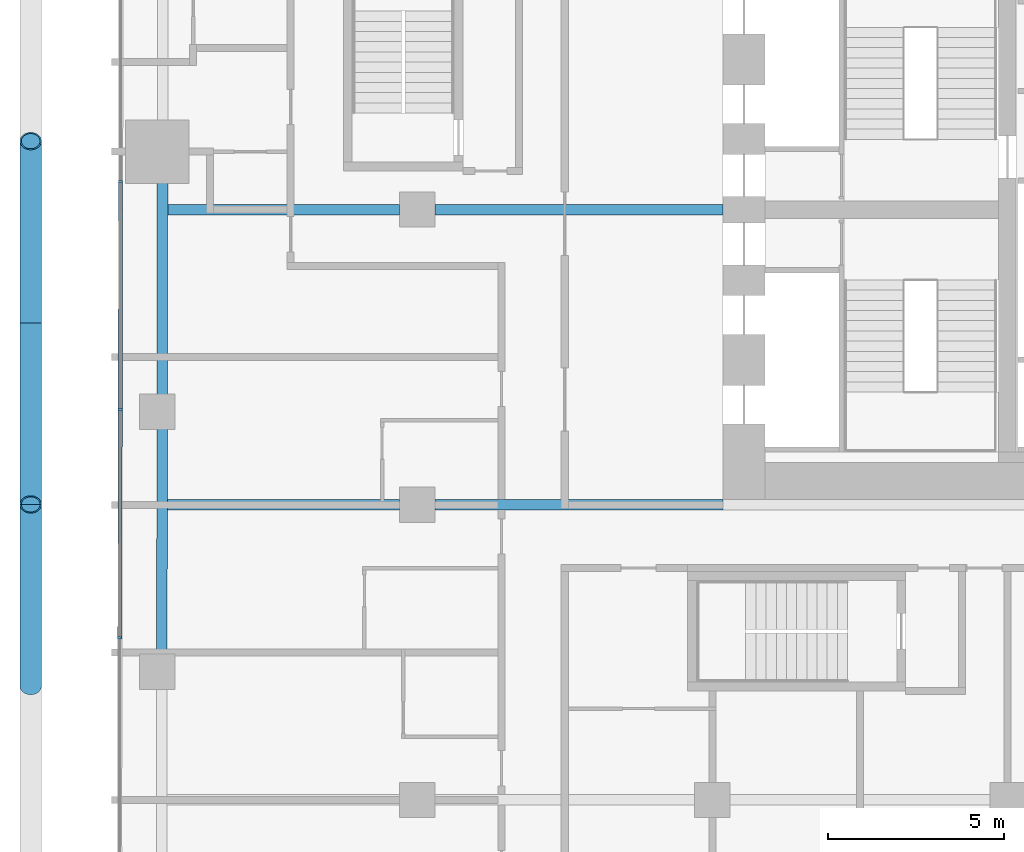
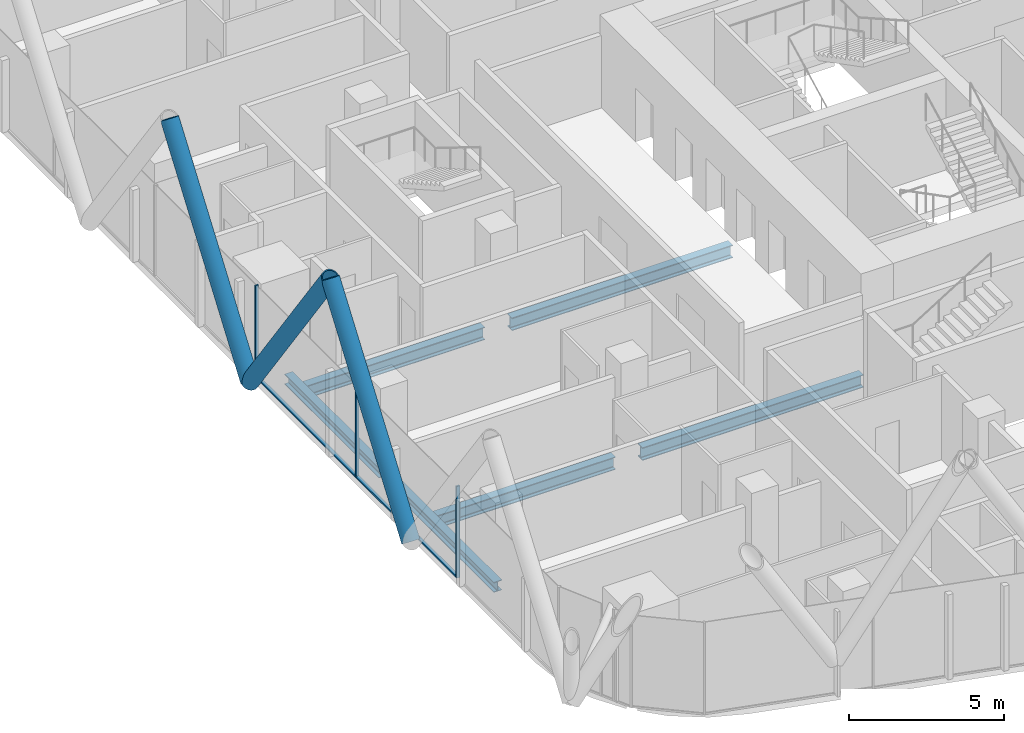
# One storey, part 4 of 35: 8 members, 6 beams, 1 element without a shape of its own.
"""IFC4 building model written with IfcOpenShell, lengths in metres."""

from ifc_helpers import new_model, si_unit, direction, frame, origin, origin_2d, place, context, subcontext, project, spatial, rectangle, hollow_circle, i_section, extrude, material, layer, layer_set, material_profile, profile_set, type_object, element, aggregate, save


model = new_model("IFC4")

# Units and contexts
model_context = context("Model", 3, precision=1e-05, world=origin(), true_north=direction((0.0, 1.0)))
body_context = subcontext(model_context, "Body", "Model", "MODEL_VIEW")
ifc_project = project(units=[si_unit("LENGTHUNIT", "METRE"), si_unit("AREAUNIT", "SQUARE_METRE"), si_unit("VOLUMEUNIT", "CUBIC_METRE"), si_unit("PLANEANGLEUNIT", "RADIAN"), si_unit("MASSUNIT", "GRAM", prefix="KILO")], contexts=[model_context])

# Site, building, storey
site_placement = place(None, origin())
site = spatial("IfcSite", under=ifc_project, at=site_placement, CompositionType="ELEMENT")
building_placement = place(site_placement, origin())
building = spatial("IfcBuilding", under=site, at=building_placement, Name="Marenta Gate Hotel Tower", CompositionType="ELEMENT")
storey_placement = place(building_placement, frame((0.0, 0.0, 61.699951171875)))
storey = spatial("IfcBuildingStorey", under=building, at=storey_placement, Name="L13", CompositionType="ELEMENT", Elevation=61.699951171875)

# Members
ifc_material_1 = material(Name="Steel S355J2W", Category="steel")
ifc_material_profile_1 = material_profile(ifc_material_1, hollow_circle(Radius=0.304931640625, WallThickness=0.0400390625, at=origin_2d()), Name="CHS 610x40")
ifc_profile_set_1 = profile_set([ifc_material_profile_1], Name="Steel S355J2W")
member_type_1 = type_object("IfcMemberType", Name="Diagrid diagonal Z1 CHS 610x40", PredefinedType="BRACE", material=ifc_profile_set_1)
member_1_placement = place(storey_placement, frame((-32.0, -5.16015625, 3.14013671875), z_axis=(0.0, 0.583279014058, 0.812271870595), x_axis=(-1.0, 0.0, 0.0)))
element("IfcMember", 1, at=member_1_placement, inside=storey, type_object=member_type_1, Name="L13-DG-27", PredefinedType="BRACE", context=body_context, shape_type="SweptSolid", body=[
    extrude(hollow_circle(Radius=0.304931640625, WallThickness=0.0400390625, at=origin_2d()), origin(), (0.0, 0.0, 1.0), 8.864013671875),
])
for number, where, z_axis, x_axis, name in (
    (2, (-32.0, 5.179931640625, 3.14013671875), (0.0, -0.583260841117, 0.812284919975), (1.0, 0.0, 0.0), "L13-DG-28"),
    (3, (-32.0, 5.179931640625, 3.14013671875), (0.0, 0.583260841117, 0.812284919975), (-1.0, 0.0, 0.0), "L13-DG-29"),
):
    element("IfcMember", number, at=place(storey_placement, frame(where, z_axis=z_axis, x_axis=x_axis)), inside=storey, type_object=member_type_1, Name=name, PredefinedType="BRACE", context=body_context, shape_type="SweptSolid", body=[
        extrude(hollow_circle(Radius=0.304931640625, WallThickness=0.0400390625, at=origin_2d()), origin(), (0.0, 0.0, 1.0), 8.86376953125),
    ])

# Beams
ifc_material_2 = material(Name="Steel S355", Category="steel")
ifc_material_profile_2 = material_profile(ifc_material_2, i_section(OverallWidth=0.300048828125, OverallDepth=0.39990234375, WebThickness=0.013427734375, FlangeThickness=0.02392578125, FilletRadius=0.027099609375, at=origin_2d()), Name="HEB 400")
ifc_profile_set_2 = profile_set([ifc_material_profile_2], Name="Steel S355")
beam_type_1 = type_object("IfcBeamType", Name="Edge beam HEB 400", PredefinedType="SPANDREL", material=ifc_profile_set_2)
beam_1_placement = place(storey_placement, frame((-28.267333984375, -4.2919921875, -0.4599609375), z_axis=(0.001393753119, 0.999999028726, 0.0), x_axis=(-0.999999028726, 0.001393753119, 0.0)))
element("IfcBeam", 4, at=beam_1_placement, inside=storey, type_object=beam_type_1, Name="L13-EB-6", PredefinedType="SPANDREL", context=body_context, shape_type="SweptSolid", body=[
    extrude(i_section(OverallWidth=0.300048828125, OverallDepth=0.39990234375, WebThickness=0.013427734375, FlangeThickness=0.02392578125, FilletRadius=0.027099609375, at=origin_2d()), origin(), (0.0, 0.0, 1.0), 6.481201171875),
])
beam_2_placement = place(storey_placement, frame((-28.257080078125, 3.109130859375, -0.4599609375), z_axis=(0.001405226059, 0.999999012669, 0.0), x_axis=(-0.999999012669, 0.001405226059, 0.0)))
element("IfcBeam", 5, at=beam_2_placement, inside=storey, type_object=beam_type_1, Name="L13-EB-7", PredefinedType="SPANDREL", context=body_context, shape_type="SweptSolid", body=[
    extrude(i_section(OverallWidth=0.300048828125, OverallDepth=0.39990234375, WebThickness=0.013427734375, FlangeThickness=0.02392578125, FilletRadius=0.027099609375, at=origin_2d()), origin(), (0.0, 0.0, 1.0), 6.080810546875),
])
ifc_material_3 = material(Name="Steel S355", Category="steel")
ifc_material_profile_3 = material_profile(ifc_material_3, i_section(OverallWidth=0.300048828125, OverallDepth=0.5, WebThickness=0.014404296875, FlangeThickness=0.028076171875, FilletRadius=0.027099609375, at=origin_2d()), Name="HEB 500")
ifc_profile_set_3 = profile_set([ifc_material_profile_3], Name="Steel S355")
beam_type_2 = type_object("IfcBeamType", Name="Girder HEB 500", PredefinedType="BEAM", material=ifc_profile_set_3)
beam_3_placement = place(storey_placement, frame((-28.111328125, 0.0, -0.510009765625), z_axis=(1.0, 0.0, 0.0), x_axis=(0.0, 1.0, 0.0)))
element("IfcBeam", 6, at=beam_3_placement, inside=storey, type_object=beam_type_2, Name="L13-GD-8", PredefinedType="BEAM", context=body_context, shape_type="SweptSolid", body=[
    extrude(i_section(OverallWidth=0.300048828125, OverallDepth=0.5, WebThickness=0.014404296875, FlangeThickness=0.028076171875, FilletRadius=0.027099609375, at=origin_2d()), origin(), (0.0, 0.0, 1.0), 6.611328125),
])
beam_4_placement = place(storey_placement, frame((-20.5, 0.0, -0.510009765625), z_axis=(1.0, 0.0, 0.0), x_axis=(0.0, 1.0, 0.0)))
element("IfcBeam", 7, at=beam_4_placement, inside=storey, type_object=beam_type_2, Name="L13-GD-9", PredefinedType="BEAM", context=body_context, shape_type="SweptSolid", body=[
    extrude(i_section(OverallWidth=0.300048828125, OverallDepth=0.5, WebThickness=0.014404296875, FlangeThickness=0.028076171875, FilletRadius=0.027099609375, at=origin_2d()), origin(), (0.0, 0.0, 1.0), 8.199951171875),
])
beam_5_placement = place(storey_placement, frame((-28.099609375, 8.39990234375, -0.510009765625), z_axis=(1.0, 0.0, 0.0), x_axis=(0.0, 1.0, 0.0)))
element("IfcBeam", 8, at=beam_5_placement, inside=storey, type_object=beam_type_2, Name="L13-GD-13", PredefinedType="BEAM", context=body_context, shape_type="SweptSolid", body=[
    extrude(i_section(OverallWidth=0.300048828125, OverallDepth=0.5, WebThickness=0.014404296875, FlangeThickness=0.028076171875, FilletRadius=0.027099609375, at=origin_2d()), origin(), (0.0, 0.0, 1.0), 6.599609375),
])
beam_6_placement = place(storey_placement, frame((-20.5, 8.39990234375, -0.510009765625), z_axis=(1.0, 0.0, 0.0), x_axis=(0.0, 1.0, 0.0)))
element("IfcBeam", 9, at=beam_6_placement, inside=storey, type_object=beam_type_2, Name="L13-GD-14", PredefinedType="BEAM", context=body_context, shape_type="SweptSolid", body=[
    extrude(i_section(OverallWidth=0.300048828125, OverallDepth=0.5, WebThickness=0.014404296875, FlangeThickness=0.028076171875, FilletRadius=0.027099609375, at=origin_2d()), origin(), (0.0, 0.0, 1.0), 8.199951171875),
])

# Curtain wall, members
ifc_material_4 = material(Name="Tinted insulated glass in bronze anodised frame", Category="glass")
ifc_layer = layer(ifc_material_4, 0.1201171875)
ifc_layer_set = layer_set([ifc_layer], Name="Tinted insulated glass in bronze anodised frame")
curtain_wall_type = type_object("IfcCurtainWallType", Name="Tower unitised curtain wall CW1", PredefinedType="NOTDEFINED", material=ifc_layer_set)
curtain_wall_placement = place(storey_placement, origin())
curtain_wall = element("IfcCurtainWall", 10, at=curtain_wall_placement, inside=storey, type_object=curtain_wall_type, Name="CW1 run G04", PredefinedType="NOTDEFINED")
ifc_material_5 = material(Name="Bronze anodised aluminium", Category="aluminium")
ifc_material_profile_4 = material_profile(ifc_material_5, rectangle(XDim=0.1201171875, YDim=0.06005859375, at=origin_2d()), Name="Mullion CW1 60x120 bronze anodised aluminium")
ifc_profile_set_4 = profile_set([ifc_material_profile_4], Name="Bronze anodised aluminium")
member_type_2 = type_object("IfcMemberType", Name="Mullion CW1 60x120 bronze anodised aluminium", PredefinedType="MULLION", material=ifc_profile_set_4)
member_2_placement = place(storey_placement, frame((-29.44287109375, 9.195068359375, 0.0), z_axis=(0.0, 0.0, 1.0), x_axis=(0.99999877316, -0.00156642217, 0.0)))
member_2 = element("IfcMember", 11, at=member_2_placement, type_object=member_type_2, Name="CW1 mullion 4", PredefinedType="MULLION", context=body_context, shape_type="SweptSolid", body=[
    extrude(rectangle(XDim=0.1201171875, YDim=0.06005859375, at=origin_2d()), origin(), (0.0, 0.0, 1.0), 3.60009765625),
])
member_3_placement = place(storey_placement, frame((-29.452880859375, 2.704833984375, 0.0), z_axis=(0.0, 0.0, 1.0), x_axis=(0.99999877316, -0.00156642217, 0.0)))
member_3 = element("IfcMember", 12, at=member_3_placement, type_object=member_type_2, Name="CW1 mullion 5", PredefinedType="MULLION", context=body_context, shape_type="SweptSolid", body=[
    extrude(rectangle(XDim=0.1201171875, YDim=0.06005859375, at=origin_2d()), origin(), (0.0, 0.0, 1.0), 3.60009765625),
])
member_4_placement = place(storey_placement, frame((-29.463134765625, -3.78564453125, 0.0), z_axis=(0.0, 0.0, 1.0), x_axis=(0.99999877316, -0.00156642217, 0.0)))
member_4 = element("IfcMember", 13, at=member_4_placement, type_object=member_type_2, Name="CW1 mullion 6", PredefinedType="MULLION", context=body_context, shape_type="SweptSolid", body=[
    extrude(rectangle(XDim=0.1201171875, YDim=0.06005859375, at=origin_2d()), origin(), (0.0, 0.0, 1.0), 3.60009765625),
])
ifc_material_6 = material(Name="Bronze anodised aluminium", Category="aluminium")
ifc_material_profile_5 = material_profile(ifc_material_6, rectangle(XDim=0.1201171875, YDim=0.06005859375, at=origin_2d()), Name="Transom CW1 60x120 bronze anodised aluminium")
ifc_profile_set_5 = profile_set([ifc_material_profile_5], Name="Bronze anodised aluminium")
member_type_3 = type_object("IfcMemberType", Name="Transom CW1 60x120 bronze anodised aluminium", PredefinedType="USERDEFINED", material=ifc_profile_set_5)
member_5_placement = place(storey_placement, frame((-29.44287109375, 9.1650390625, 0.030029296875), z_axis=(-0.001556625169, -0.999998788458, 0.0), x_axis=(0.999998788458, -0.001556625169, 0.0)))
member_5 = element("IfcMember", 14, at=member_5_placement, type_object=member_type_3, Name="CW1 transom 4.1", ObjectType="TRANSOM", PredefinedType="USERDEFINED", context=body_context, shape_type="SweptSolid", body=[
    extrude(rectangle(XDim=0.1201171875, YDim=0.06005859375, at=origin_2d()), origin(), (0.0, 0.0, 1.0), 6.430419921875),
])
member_6_placement = place(storey_placement, frame((-29.453125, 2.6748046875, 0.030029296875), z_axis=(-0.001556625169, -0.999998788458, 0.0), x_axis=(0.999998788458, -0.001556625169, 0.0)))
member_6 = element("IfcMember", 15, at=member_6_placement, type_object=member_type_3, Name="CW1 transom 5.1", ObjectType="TRANSOM", PredefinedType="USERDEFINED", context=body_context, shape_type="SweptSolid", body=[
    extrude(rectangle(XDim=0.1201171875, YDim=0.06005859375, at=origin_2d()), origin(), (0.0, 0.0, 1.0), 6.430419921875),
])
aggregate(curtain_wall, [member_2, member_3, member_4, member_5, member_6])

save(model, "model.ifc")
